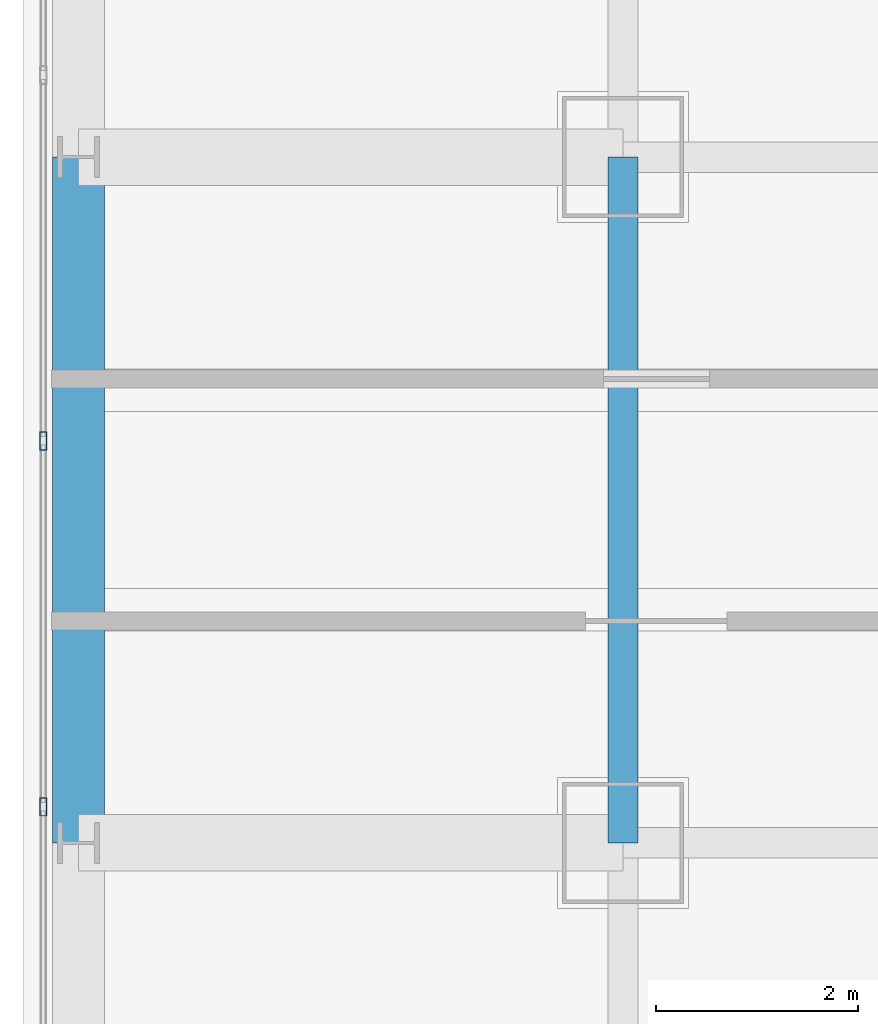
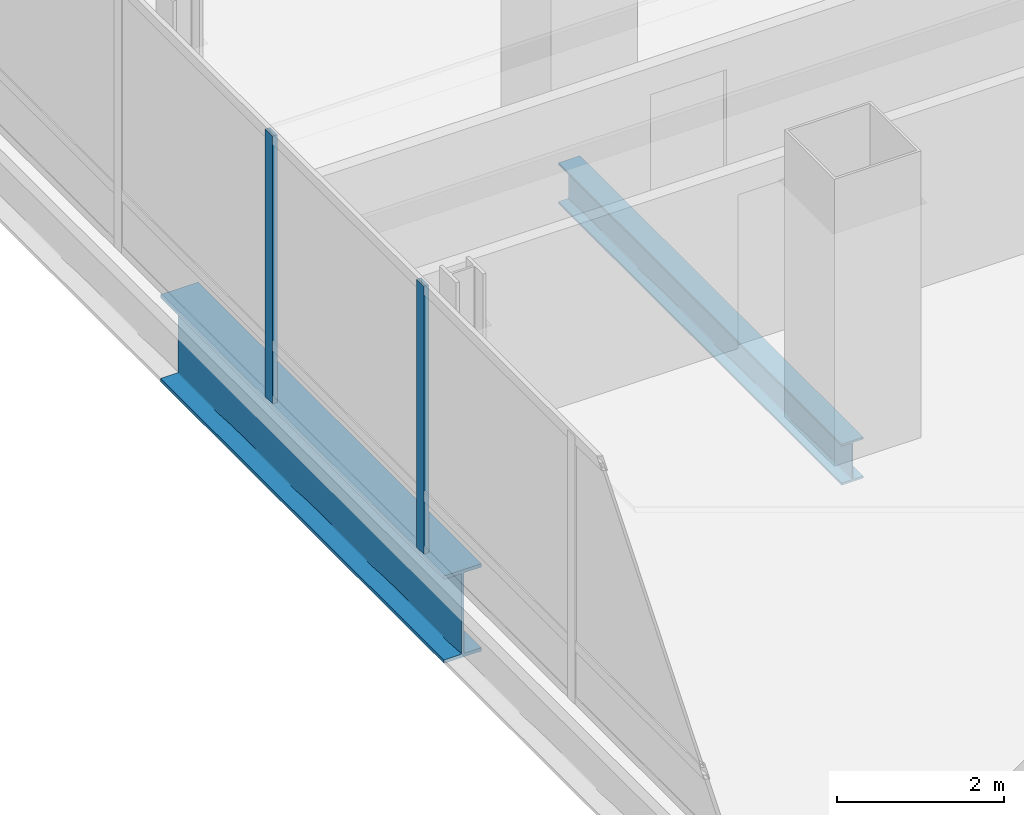
# One storey, part 9 of 51: 2 beams, 2 members, 1 element without a shape of its own.
"""IFC4 building model written with IfcOpenShell, lengths in metres."""

from ifc_helpers import new_model, si_unit, direction, frame, origin, origin_2d, place, context, subcontext, project, spatial, hollow_rectangle, i_section, extrude, material, material_profile, profile_set, type_object, element, aggregate, save


model = new_model("IFC4")

# Units and contexts
model_context = context("Model", 3, precision=1e-05, world=origin(), true_north=direction((0.0, 1.0)))
body_context = subcontext(model_context, "Body", "Model", "MODEL_VIEW")
ifc_project = project(units=[si_unit("LENGTHUNIT", "METRE"), si_unit("AREAUNIT", "SQUARE_METRE"), si_unit("VOLUMEUNIT", "CUBIC_METRE"), si_unit("PLANEANGLEUNIT", "RADIAN"), si_unit("MASSUNIT", "GRAM", prefix="KILO")], contexts=[model_context])

# Site, building, storey
site_placement = place(None, origin())
site = spatial("IfcSite", under=ifc_project, at=site_placement, CompositionType="ELEMENT")
building_placement = place(site_placement, origin())
building = spatial("IfcBuilding", under=site, at=building_placement, Name="Punatoya Terracotta Tower", CompositionType="ELEMENT")
storey_placement = place(building_placement, frame((0.0, 0.0, 313.199951171875)))
storey = spatial("IfcBuildingStorey", under=building, at=storey_placement, Name="L74", CompositionType="ELEMENT", Elevation=313.199951171875)

# Beams
ifc_material_1 = material(Name="Steel S355", Category="steel")
ifc_material_profile_1 = material_profile(ifc_material_1, i_section(OverallWidth=0.300048828125, OverallDepth=0.60009765625, WebThickness=0.015380859375, FlangeThickness=0.030029296875, FilletRadius=0.01806640625, at=origin_2d()))
ifc_profile_set_1 = profile_set([ifc_material_profile_1], Name="Steel S355")
beam_type_1 = type_object("IfcBeamType", Name="BM-PRI-600", PredefinedType="BEAM", material=ifc_profile_set_1)
beam_1_placement = place(storey_placement, frame((-19.10009765625, -3.39990234375, -0.5), z_axis=(0.0, 1.0, 0.0), x_axis=(-1.0, 0.0, 0.0)))
element("IfcBeam", 1, at=beam_1_placement, inside=storey, type_object=beam_type_1, Name="BM-L74-RG-W2", PredefinedType="BEAM", context=body_context, shape_type="SweptSolid", body=[
    extrude(i_section(OverallWidth=0.300048828125, OverallDepth=0.60009765625, WebThickness=0.015380859375, FlangeThickness=0.030029296875, FilletRadius=0.01806640625, at=origin_2d()), origin(), (0.0, 0.0, 1.0), 6.7998046875),
])
ifc_material_2 = material(Name="Steel S460", Category="steel")
ifc_material_profile_2 = material_profile(ifc_material_2, i_section(OverallWidth=0.52001953125, OverallDepth=1.280029296875, WebThickness=0.031982421875, FlangeThickness=0.050048828125, FilletRadius=0.01806640625, at=origin_2d()))
ifc_profile_set_2 = profile_set([ifc_material_profile_2], Name="Steel S460")
beam_type_2 = type_object("IfcBeamType", Name="BM-TG-NCK", PredefinedType="BEAM", material=ifc_profile_set_2)
beam_2_placement = place(storey_placement, frame((-24.5, -3.39990234375, -0.83984375), z_axis=(0.0, 1.0, 0.0), x_axis=(-1.0, 0.0, 0.0)))
element("IfcBeam", 2, at=beam_2_placement, inside=storey, type_object=beam_type_2, Name="BM-L74-PER-W2", PredefinedType="BEAM", context=body_context, shape_type="SweptSolid", body=[
    extrude(i_section(OverallWidth=0.52001953125, OverallDepth=1.280029296875, WebThickness=0.031982421875, FlangeThickness=0.050048828125, FilletRadius=0.01806640625, at=origin_2d()), origin(), (0.0, 0.0, 1.0), 6.7998046875),
])

# Curtain wall, members
ifc_material_3 = material(Name="Aluminium 6063-T6 + Double Low-E Glass", Category="aluminium")
curtain_wall_type = type_object("IfcCurtainWallType", Name="CW-M3", PredefinedType="NOTDEFINED", material=ifc_material_3)
curtain_wall_placement = place(storey_placement, origin())
curtain_wall = element("IfcCurtainWall", 3, at=curtain_wall_placement, inside=storey, type_object=curtain_wall_type, Name="L74 Curtain Wall CW-L74-W13-1", PredefinedType="NOTDEFINED")
ifc_material_4 = material(Name="Aluminium 6063-T6", Category="aluminium")
ifc_material_profile_3 = material_profile(ifc_material_4, hollow_rectangle(XDim=0.070068359375, YDim=0.179931640625, WallThickness=0.00390625, at=origin_2d()))
ifc_profile_set_3 = profile_set([ifc_material_profile_3], Name="Aluminium 6063-T6")
member_type = type_object("IfcMemberType", Name="CW-MUL-M3", PredefinedType="MULLION", material=ifc_profile_set_3)
member_1_placement = place(storey_placement, frame((-24.85009765625, 0.585693359375, 0.0), z_axis=(0.0, 0.0, 1.0), x_axis=(1.0, 0.0, 0.0)))
member_1 = element("IfcMember", 4, at=member_1_placement, type_object=member_type, Name="CW-L74-W13-1 Mullion 04", PredefinedType="MULLION", context=body_context, shape_type="SweptSolid", body=[
    extrude(hollow_rectangle(XDim=0.070068359375, YDim=0.179931640625, WallThickness=0.00390625, at=origin_2d()), origin(), (0.0, 0.0, 1.0), 3.920166015625),
])
member_2_placement = place(storey_placement, frame((-24.85009765625, -3.04296875, 0.0), z_axis=(0.0, 0.0, 1.0), x_axis=(1.0, 0.0, 0.0)))
member_2 = element("IfcMember", 5, at=member_2_placement, type_object=member_type, Name="CW-L74-W13-1 Mullion 05", PredefinedType="MULLION", context=body_context, shape_type="SweptSolid", body=[
    extrude(hollow_rectangle(XDim=0.070068359375, YDim=0.179931640625, WallThickness=0.00390625, at=origin_2d()), origin(), (0.0, 0.0, 1.0), 3.920166015625),
])
aggregate(curtain_wall, [member_1, member_2])

save(model, "model.ifc")
